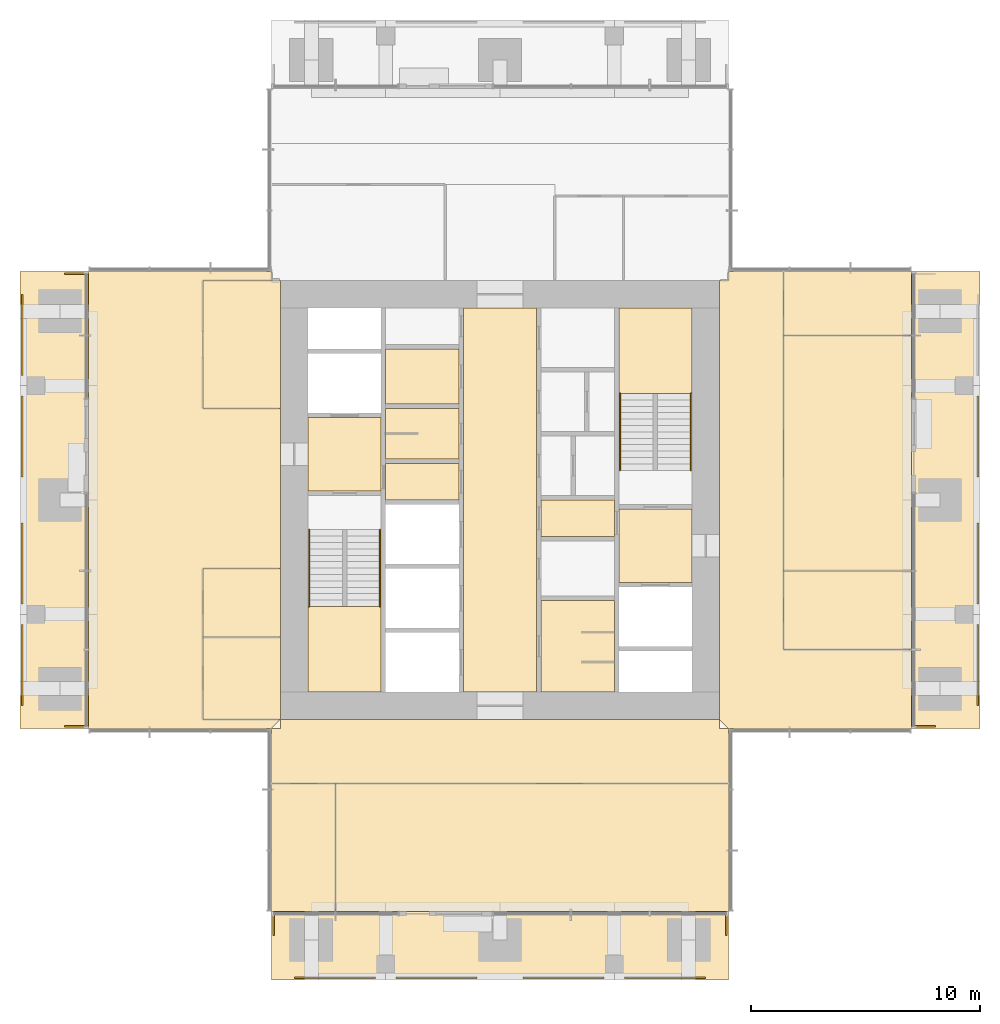
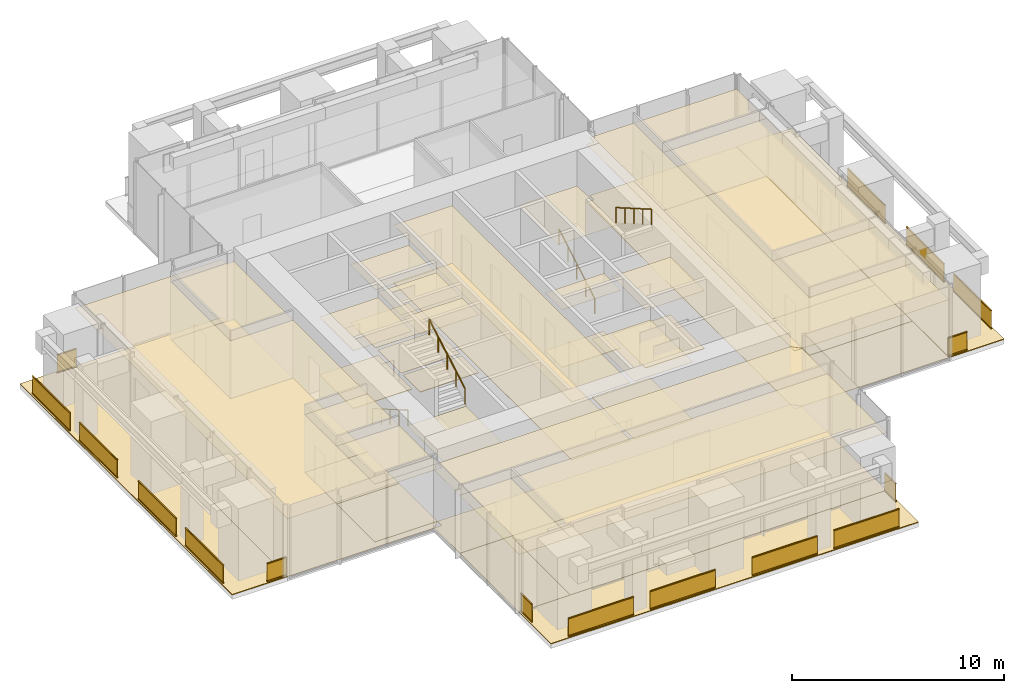
# One storey, part 10 of 12: 43 coverings, 20 railings.
"""IFC4 building model written with IfcOpenShell, lengths in metres."""

from ifc_helpers import new_model, si_unit, direction, frame, origin, origin_2d, place, context, subcontext, project, spatial, polyline, rectangle, circle, outline, extrude, material, layer, layer_set, type_object, element, save


model = new_model("IFC4")

# Units and contexts
model_context = context("Model", 3, precision=1e-05, world=origin(), true_north=direction((0.0, 1.0)))
body_context = subcontext(model_context, "Body", "Model", "MODEL_VIEW")
ifc_project = project(units=[si_unit("LENGTHUNIT", "METRE"), si_unit("AREAUNIT", "SQUARE_METRE"), si_unit("VOLUMEUNIT", "CUBIC_METRE"), si_unit("PLANEANGLEUNIT", "RADIAN"), si_unit("MASSUNIT", "GRAM", prefix="KILO")], contexts=[model_context])

# Site, building, storey
site_placement = place(None, origin())
site = spatial("IfcSite", under=ifc_project, at=site_placement, CompositionType="ELEMENT")
building_placement = place(site_placement, origin())
building = spatial("IfcBuilding", under=site, at=building_placement, Name="Svetlomir Tower", CompositionType="ELEMENT")
storey_placement = place(building_placement, frame((0.0, 0.0, 265.0)))
storey = spatial("IfcBuildingStorey", under=building, at=storey_placement, Name="L63", CompositionType="ELEMENT", Elevation=265.0)

# Railings
ifc_material_1 = material(Name="Bronze anodised aluminium and laminated glass", Category="aluminium")
railing_type_1 = type_object("IfcRailingType", Name="BALCONY GUARD GR1 1100", PredefinedType="GUARDRAIL", material=ifc_material_1)
for number, where, name in (
    (1, (12.0, 0.10009765625, 0.0), "Loggia guard S L63 bay 1"),
    (2, (16.449951171875, 0.10009765625, 0.0), "Loggia guard S L63 bay 2"),
    (3, (22.0, 0.10009765625, 0.0), "Loggia guard S L63 bay 3"),
    (4, (26.449951171875, 0.10009765625, 0.0), "Loggia guard S L63 bay 4"),
):
    element("IfcRailing", number, at=place(storey_placement, frame(where)), inside=storey, type_object=railing_type_1, Name=name, PredefinedType="GUARDRAIL", context=body_context, shape_type="SweptSolid", body=[
        extrude(rectangle(XDim=0.06005859375, YDim=0.10009765625, at=origin_2d()), frame((0.0, 0.0, 0.050048828125), z_axis=(1.0, 0.0, 0.0), x_axis=(0.0, 1.0, 0.0)), (0.0, 0.0, 1.0), 3.550048828125),
        extrude(rectangle(XDim=0.021484375, YDim=0.960205078125, at=origin_2d()), frame((0.0, 0.0, 0.580078125), z_axis=(1.0, 0.0, 0.0), x_axis=(0.0, 1.0, 0.0)), (0.0, 0.0, 1.0), 3.550048828125),
        extrude(rectangle(XDim=0.06005859375, YDim=0.0400390625, at=origin_2d()), frame((0.0, 0.0, 1.080078125), z_axis=(1.0, 0.0, 0.0), x_axis=(0.0, 1.0, 0.0)), (0.0, 0.0, 1.0), 3.550048828125),
    ])
for number, where, name in (
    (5, (11.10009765625, 1.949951171875, 0.0), "Loggia guard S L63 end 1"),
    (6, (30.89990234375, 1.949951171875, 0.0), "Loggia guard S L63 end 2"),
):
    element("IfcRailing", number, at=place(storey_placement, frame(where)), inside=storey, type_object=railing_type_1, Name=name, PredefinedType="GUARDRAIL", context=body_context, shape_type="SweptSolid", body=[
        extrude(rectangle(XDim=0.06005859375, YDim=0.10009765625, at=origin_2d()), frame((0.0, 0.0, 0.050048828125), z_axis=(0.0, 1.0, 0.0), x_axis=(-1.0, 0.0, 0.0)), (0.0, 0.0, 1.0), 1.050048828125),
        extrude(rectangle(XDim=0.021484375, YDim=0.960205078125, at=origin_2d()), frame((0.0, 0.0, 0.580078125), z_axis=(0.0, 1.0, 0.0), x_axis=(-1.0, 0.0, 0.0)), (0.0, 0.0, 1.0), 1.050048828125),
        extrude(rectangle(XDim=0.06005859375, YDim=0.0400390625, at=origin_2d()), frame((0.0, 0.0, 1.080078125), z_axis=(0.0, 1.0, 0.0), x_axis=(-1.0, 0.0, 0.0)), (0.0, 0.0, 1.0), 1.050048828125),
    ])
for number, where, name in (
    (7, (41.89990234375, 12.0, 0.0), "Loggia guard E L63 bay 1"),
    (8, (41.89990234375, 16.449951171875, 0.0), "Loggia guard E L63 bay 2"),
    (9, (41.89990234375, 22.0, 0.0), "Loggia guard E L63 bay 3"),
):
    element("IfcRailing", number, at=place(storey_placement, frame(where)), inside=storey, type_object=railing_type_1, Name=name, PredefinedType="GUARDRAIL", context=body_context, shape_type="SweptSolid", body=[
        extrude(rectangle(XDim=0.06005859375, YDim=0.10009765625, at=origin_2d()), frame((0.0, 0.0, 0.050048828125), z_axis=(0.0, 1.0, 0.0), x_axis=(-1.0, 0.0, 0.0)), (0.0, 0.0, 1.0), 3.550048828125),
        extrude(rectangle(XDim=0.021484375, YDim=0.960205078125, at=origin_2d()), frame((0.0, 0.0, 0.580078125), z_axis=(0.0, 1.0, 0.0), x_axis=(-1.0, 0.0, 0.0)), (0.0, 0.0, 1.0), 3.550048828125),
        extrude(rectangle(XDim=0.06005859375, YDim=0.0400390625, at=origin_2d()), frame((0.0, 0.0, 1.080078125), z_axis=(0.0, 1.0, 0.0), x_axis=(-1.0, 0.0, 0.0)), (0.0, 0.0, 1.0), 3.550048828125),
    ])
railing_1_placement = place(storey_placement, frame((40.050048828125, 11.10009765625, 0.0)))
element("IfcRailing", 10, at=railing_1_placement, inside=storey, type_object=railing_type_1, Name="Loggia guard E L63 end 1", PredefinedType="GUARDRAIL", context=body_context, shape_type="SweptSolid", body=[
    extrude(rectangle(XDim=0.06005859375, YDim=0.10009765625, at=origin_2d()), frame((0.0, 0.0, 0.050048828125), z_axis=(-1.0, 0.0, 0.0), x_axis=(0.0, -1.0, 0.0)), (0.0, 0.0, 1.0), 1.050048828125),
    extrude(rectangle(XDim=0.021484375, YDim=0.960205078125, at=origin_2d()), frame((0.0, 0.0, 0.580078125), z_axis=(-1.0, 0.0, 0.0), x_axis=(0.0, -1.0, 0.0)), (0.0, 0.0, 1.0), 1.050048828125),
    extrude(rectangle(XDim=0.06005859375, YDim=0.0400390625, at=origin_2d()), frame((0.0, 0.0, 1.080078125), z_axis=(-1.0, 0.0, 0.0), x_axis=(0.0, -1.0, 0.0)), (0.0, 0.0, 1.0), 1.050048828125),
])
for number, where, name in (
    (11, (0.10009765625, 12.0, 0.0), "Loggia guard W L63 bay 1"),
    (12, (0.10009765625, 16.449951171875, 0.0), "Loggia guard W L63 bay 2"),
    (13, (0.10009765625, 22.0, 0.0), "Loggia guard W L63 bay 3"),
    (14, (0.10009765625, 26.449951171875, 0.0), "Loggia guard W L63 bay 4"),
):
    element("IfcRailing", number, at=place(storey_placement, frame(where)), inside=storey, type_object=railing_type_1, Name=name, PredefinedType="GUARDRAIL", context=body_context, shape_type="SweptSolid", body=[
        extrude(rectangle(XDim=0.06005859375, YDim=0.10009765625, at=origin_2d()), frame((0.0, 0.0, 0.050048828125), z_axis=(0.0, 1.0, 0.0), x_axis=(-1.0, 0.0, 0.0)), (0.0, 0.0, 1.0), 3.550048828125),
        extrude(rectangle(XDim=0.021484375, YDim=0.960205078125, at=origin_2d()), frame((0.0, 0.0, 0.580078125), z_axis=(0.0, 1.0, 0.0), x_axis=(-1.0, 0.0, 0.0)), (0.0, 0.0, 1.0), 3.550048828125),
        extrude(rectangle(XDim=0.06005859375, YDim=0.0400390625, at=origin_2d()), frame((0.0, 0.0, 1.080078125), z_axis=(0.0, 1.0, 0.0), x_axis=(-1.0, 0.0, 0.0)), (0.0, 0.0, 1.0), 3.550048828125),
    ])
for number, where, name in (
    (15, (1.949951171875, 11.10009765625, 0.0), "Loggia guard W L63 end 1"),
    (16, (1.949951171875, 30.89990234375, 0.0), "Loggia guard W L63 end 2"),
):
    element("IfcRailing", number, at=place(storey_placement, frame(where)), inside=storey, type_object=railing_type_1, Name=name, PredefinedType="GUARDRAIL", context=body_context, shape_type="SweptSolid", body=[
        extrude(rectangle(XDim=0.06005859375, YDim=0.10009765625, at=origin_2d()), frame((0.0, 0.0, 0.050048828125), z_axis=(1.0, 0.0, 0.0), x_axis=(0.0, 1.0, 0.0)), (0.0, 0.0, 1.0), 1.050048828125),
        extrude(rectangle(XDim=0.021484375, YDim=0.960205078125, at=origin_2d()), frame((0.0, 0.0, 0.580078125), z_axis=(1.0, 0.0, 0.0), x_axis=(0.0, 1.0, 0.0)), (0.0, 0.0, 1.0), 1.050048828125),
        extrude(rectangle(XDim=0.06005859375, YDim=0.0400390625, at=origin_2d()), frame((0.0, 0.0, 1.080078125), z_axis=(1.0, 0.0, 0.0), x_axis=(0.0, 1.0, 0.0)), (0.0, 0.0, 1.0), 1.050048828125),
    ])

# Coverings
ifc_material_2 = material(Name="Granite paving slabs on pedestals", Category="masonry")
ifc_layer_1 = layer(ifc_material_2, 0.0400390625)
ifc_layer_set_1 = layer_set([ifc_layer_1], Name="Granite paving slabs on pedestals")
covering_type_1 = type_object("IfcCoveringType", Name="BALCONY PAVING 40", PredefinedType="USERDEFINED", material=ifc_layer_set_1)
covering_1_placement = place(storey_placement, origin())
element("IfcCovering", 17, at=covering_1_placement, inside=storey, type_object=covering_type_1, Name="Loggia paving S L63", ObjectType="BALCONY PAVING", PredefinedType="USERDEFINED", context=body_context, shape_type="SweptSolid", body=[
    extrude(outline(polyline([(11.0, 0.0), (31.0, 0.0), (31.0, 3.0), (11.0, 3.0), (11.0, 0.0)])), origin(), (0.0, 0.0, 1.0), 0.0400390625),
])
covering_2_placement = place(storey_placement, origin())
element("IfcCovering", 18, at=covering_2_placement, inside=storey, type_object=covering_type_1, Name="Loggia paving E L63", ObjectType="BALCONY PAVING", PredefinedType="USERDEFINED", context=body_context, shape_type="SweptSolid", body=[
    extrude(outline(polyline([(39.0, 11.0), (42.0, 11.0), (42.0, 31.0), (39.0, 31.0), (39.0, 11.0)])), origin(), (0.0, 0.0, 1.0), 0.0400390625),
])
covering_3_placement = place(storey_placement, origin())
element("IfcCovering", 19, at=covering_3_placement, inside=storey, type_object=covering_type_1, Name="Loggia paving W L63", ObjectType="BALCONY PAVING", PredefinedType="USERDEFINED", context=body_context, shape_type="SweptSolid", body=[
    extrude(outline(polyline([(0.0, 11.0), (3.0, 11.0), (3.0, 31.0), (0.0, 31.0), (0.0, 11.0)])), origin(), (0.0, 0.0, 1.0), 0.0400390625),
])
ifc_material_3 = material(Name="Ceramic floor tile", Category="ceramic")
ifc_layer_2 = layer(ifc_material_3, 0.014892578125)
ifc_layer_set_2 = layer_set([ifc_layer_2], Name="Ceramic floor tile")
covering_type_2 = type_object("IfcCoveringType", Name="CERAMIC TILE FLOOR 15", PredefinedType="FLOORING", material=ifc_layer_set_2)
covering_4_placement = place(storey_placement, origin())
element("IfcCovering", 20, at=covering_4_placement, inside=storey, type_object=covering_type_2, Name="Floor finish L63-04", PredefinedType="FLOORING", context=body_context, shape_type="SweptSolid", body=[
    extrude(outline(polyline([(16.0, 22.800048828125), (19.199951171875, 22.800048828125), (19.199951171875, 25.0), (16.0, 25.0), (16.0, 22.800048828125)])), origin(), (0.0, 0.0, 1.0), 0.014892578125),
])
covering_5_placement = place(storey_placement, origin())
element("IfcCovering", 21, at=covering_5_placement, inside=storey, type_object=covering_type_2, Name="Floor finish L63-05", PredefinedType="FLOORING", context=body_context, shape_type="SweptSolid", body=[
    extrude(outline(polyline([(16.0, 25.199951171875), (19.199951171875, 25.199951171875), (19.199951171875, 27.60009765625), (16.0, 27.60009765625), (16.0, 25.199951171875)])), origin(), (0.0, 0.0, 1.0), 0.014892578125),
])
covering_6_placement = place(storey_placement, origin())
element("IfcCovering", 22, at=covering_6_placement, inside=storey, type_object=covering_type_2, Name="Floor finish L63-08", PredefinedType="FLOORING", context=body_context, shape_type="SweptSolid", body=[
    extrude(outline(polyline([(22.800048828125, 12.60009765625), (26.0, 12.60009765625), (26.0, 16.60009765625), (22.800048828125, 16.60009765625), (22.800048828125, 12.60009765625)])), origin(), (0.0, 0.0, 1.0), 0.014892578125),
])

# Railings
ifc_material_4 = material(Name="Stainless steel", Category="steel")
railing_type_2 = type_object("IfcRailingType", Name="HANDRAIL HR1 900", PredefinedType="HANDRAIL", material=ifc_material_4)
railing_2_placement = place(storey_placement, frame((12.64990234375, 19.699951171875, 0.16162109375)))
element("IfcRailing", 23, at=railing_2_placement, inside=storey, type_object=railing_type_2, Name="Handrail S1 flight 1 L63", PredefinedType="HANDRAIL", context=body_context, shape_type="SweptSolid", body=[
    extrude(circle(Radius=0.02392578125, at=origin_2d()), frame((0.0, 0.0, 0.8759765625), z_axis=(0.0, -0.866175107563, 0.499740615757), x_axis=(1.0, 0.0, 0.0)), (0.0, 0.0, 1.0), 3.87890625),
    extrude(circle(Radius=0.02099609375, at=origin_2d()), origin(), (0.0, 0.0, 1.0), 0.851806640625),
    extrude(circle(Radius=0.02099609375, at=origin_2d()), frame((0.0, -0.83984375, 0.484619140625)), (0.0, 0.0, 1.0), 0.851806640625),
    extrude(circle(Radius=0.02099609375, at=origin_2d()), frame((0.0, -1.679931640625, 0.96923828125)), (0.0, 0.0, 1.0), 0.851806640625),
    extrude(circle(Radius=0.02099609375, at=origin_2d()), frame((0.0, -2.52001953125, 1.453857421875)), (0.0, 0.0, 1.0), 0.851806640625),
    extrude(circle(Radius=0.02099609375, at=origin_2d()), frame((0.0, -3.35986328125, 1.9384765625)), (0.0, 0.0, 1.0), 0.851806640625),
])
for number, where, name in (
    (24, (15.75, 16.340087890625, 2.261474609375), "Handrail S1 flight 2 L63"),
    (25, (26.25, 22.300048828125, 0.16162109375), "Handrail S2 flight 1 L63"),
):
    element("IfcRailing", number, at=place(storey_placement, frame(where)), inside=storey, type_object=railing_type_2, Name=name, PredefinedType="HANDRAIL", context=body_context, shape_type="SweptSolid", body=[
        extrude(circle(Radius=0.02392578125, at=origin_2d()), frame((0.0, 0.0, 0.8759765625), z_axis=(0.0, 0.866175107563, 0.499740615757), x_axis=(-1.0, 0.0, 0.0)), (0.0, 0.0, 1.0), 3.87890625),
        extrude(circle(Radius=0.02099609375, at=origin_2d()), origin(), (0.0, 0.0, 1.0), 0.851806640625),
        extrude(circle(Radius=0.02099609375, at=origin_2d()), frame((0.0, 0.83984375, 0.484619140625)), (0.0, 0.0, 1.0), 0.851806640625),
        extrude(circle(Radius=0.02099609375, at=origin_2d()), frame((0.0, 1.679931640625, 0.96923828125)), (0.0, 0.0, 1.0), 0.851806640625),
        extrude(circle(Radius=0.02099609375, at=origin_2d()), frame((0.0, 2.52001953125, 1.453857421875)), (0.0, 0.0, 1.0), 0.851806640625),
        extrude(circle(Radius=0.02099609375, at=origin_2d()), frame((0.0, 3.35986328125, 1.9384765625)), (0.0, 0.0, 1.0), 0.851806640625),
    ])
railing_3_placement = place(storey_placement, frame((29.35009765625, 25.659912109375, 2.261474609375)))
element("IfcRailing", 26, at=railing_3_placement, inside=storey, type_object=railing_type_2, Name="Handrail S2 flight 2 L63", PredefinedType="HANDRAIL", context=body_context, shape_type="SweptSolid", body=[
    extrude(circle(Radius=0.02392578125, at=origin_2d()), frame((0.0, 0.0, 0.8759765625), z_axis=(0.0, -0.866175107563, 0.499740615757), x_axis=(1.0, 0.0, 0.0)), (0.0, 0.0, 1.0), 3.87890625),
    extrude(circle(Radius=0.02099609375, at=origin_2d()), origin(), (0.0, 0.0, 1.0), 0.851806640625),
    extrude(circle(Radius=0.02099609375, at=origin_2d()), frame((0.0, -0.83984375, 0.484619140625)), (0.0, 0.0, 1.0), 0.851806640625),
    extrude(circle(Radius=0.02099609375, at=origin_2d()), frame((0.0, -1.679931640625, 0.96923828125)), (0.0, 0.0, 1.0), 0.851806640625),
    extrude(circle(Radius=0.02099609375, at=origin_2d()), frame((0.0, -2.52001953125, 1.453857421875)), (0.0, 0.0, 1.0), 0.851806640625),
    extrude(circle(Radius=0.02099609375, at=origin_2d()), frame((0.0, -3.35986328125, 1.9384765625)), (0.0, 0.0, 1.0), 0.851806640625),
])

# Coverings
ifc_material_5 = material(Name="Moisture resistant plasterboard ceiling", Category="gypsum")
ifc_layer_3 = layer(ifc_material_5, 0.012451171875)
ifc_layer_set_3 = layer_set([ifc_layer_3], Name="Moisture resistant plasterboard ceiling")
covering_type_3 = type_object("IfcCoveringType", Name="MOISTURE RESISTANT CEILING 12.5", PredefinedType="CEILING", material=ifc_layer_set_3)
covering_7_placement = place(storey_placement, frame((0.0, 0.0, 3.33740234375)))
element("IfcCovering", 27, at=covering_7_placement, inside=storey, type_object=covering_type_3, Name="Ceiling L63-04", PredefinedType="CEILING", context=body_context, shape_type="SweptSolid", body=[
    extrude(outline(polyline([(16.0, 22.800048828125), (19.199951171875, 22.800048828125), (19.199951171875, 25.0), (16.0, 25.0), (16.0, 22.800048828125)])), origin(), (0.0, 0.0, 1.0), 0.0126953125),
])
covering_8_placement = place(storey_placement, frame((0.0, 0.0, 3.33740234375)))
element("IfcCovering", 28, at=covering_8_placement, inside=storey, type_object=covering_type_3, Name="Ceiling L63-05", PredefinedType="CEILING", context=body_context, shape_type="SweptSolid", body=[
    extrude(outline(polyline([(16.0, 25.199951171875), (19.199951171875, 25.199951171875), (19.199951171875, 27.60009765625), (16.0, 27.60009765625), (16.0, 25.199951171875)])), origin(), (0.0, 0.0, 1.0), 0.0126953125),
])
covering_9_placement = place(storey_placement, frame((0.0, 0.0, 3.33740234375)))
element("IfcCovering", 29, at=covering_9_placement, inside=storey, type_object=covering_type_3, Name="Ceiling L63-08", PredefinedType="CEILING", context=body_context, shape_type="SweptSolid", body=[
    extrude(outline(polyline([(22.800048828125, 12.60009765625), (26.0, 12.60009765625), (26.0, 16.60009765625), (22.800048828125, 16.60009765625), (22.800048828125, 12.60009765625)])), origin(), (0.0, 0.0, 1.0), 0.0126953125),
])
ifc_material_6 = material(Name="Engineered oak floor", Category="wood")
ifc_layer_4 = layer(ifc_material_6, 0.02001953125)
ifc_layer_set_4 = layer_set([ifc_layer_4], Name="Engineered oak floor")
covering_type_4 = type_object("IfcCoveringType", Name="OAK FLOOR 20", PredefinedType="FLOORING", material=ifc_layer_set_4)
covering_10_placement = place(storey_placement, origin())
element("IfcCovering", 30, at=covering_10_placement, inside=storey, type_object=covering_type_4, Name="Floor finish L63-18", PredefinedType="FLOORING", context=body_context, shape_type="SweptSolid", body=[
    extrude(outline(polyline([(11.0, 3.0), (13.800048828125, 3.0), (13.800048828125, 8.60009765625), (11.0, 8.60009765625), (11.0, 3.0)])), origin(), (0.0, 0.0, 1.0), 0.02001953125),
])
covering_11_placement = place(storey_placement, origin())
element("IfcCovering", 31, at=covering_11_placement, inside=storey, type_object=covering_type_4, Name="Floor finish L63-19", PredefinedType="FLOORING", context=body_context, shape_type="SweptSolid", body=[
    extrude(outline(polyline([(13.800048828125, 3.0), (31.0, 3.0), (31.0, 8.60009765625), (13.800048828125, 8.60009765625), (13.800048828125, 3.0)])), origin(), (0.0, 0.0, 1.0), 0.02001953125),
])
covering_12_placement = place(storey_placement, origin())
element("IfcCovering", 32, at=covering_12_placement, inside=storey, type_object=covering_type_4, Name="Floor finish L63-20", PredefinedType="FLOORING", context=body_context, shape_type="SweptSolid", body=[
    extrude(outline(polyline([(33.39990234375, 14.449951171875), (39.0, 14.449951171875), (39.0, 17.89990234375), (33.39990234375, 17.89990234375), (33.39990234375, 14.449951171875)])), origin(), (0.0, 0.0, 1.0), 0.02001953125),
])
covering_13_placement = place(storey_placement, origin())
element("IfcCovering", 33, at=covering_13_placement, inside=storey, type_object=covering_type_4, Name="Floor finish L63-21", PredefinedType="FLOORING", context=body_context, shape_type="SweptSolid", body=[
    extrude(outline(polyline([(33.39990234375, 17.89990234375), (39.0, 17.89990234375), (39.0, 28.199951171875), (33.39990234375, 28.199951171875), (33.39990234375, 17.89990234375)])), origin(), (0.0, 0.0, 1.0), 0.02001953125),
])
covering_14_placement = place(storey_placement, origin())
element("IfcCovering", 34, at=covering_14_placement, inside=storey, type_object=covering_type_4, Name="Floor finish L63-22", PredefinedType="FLOORING", context=body_context, shape_type="SweptSolid", body=[
    extrude(outline(polyline([(33.39990234375, 28.199951171875), (39.0, 28.199951171875), (39.0, 31.0), (33.39990234375, 31.0), (33.39990234375, 28.199951171875)])), origin(), (0.0, 0.0, 1.0), 0.02001953125),
])
covering_15_placement = place(storey_placement, origin())
element("IfcCovering", 35, at=covering_15_placement, inside=storey, type_object=covering_type_4, Name="Floor finish L63-26", PredefinedType="FLOORING", context=body_context, shape_type="SweptSolid", body=[
    extrude(outline(polyline([(8.0, 11.39990234375), (11.39990234375, 11.39990234375), (11.39990234375, 15.0), (8.0, 15.0), (8.0, 11.39990234375)])), origin(), (0.0, 0.0, 1.0), 0.02001953125),
])
covering_16_placement = place(storey_placement, origin())
element("IfcCovering", 36, at=covering_16_placement, inside=storey, type_object=covering_type_4, Name="Floor finish L63-27", PredefinedType="FLOORING", context=body_context, shape_type="SweptSolid", body=[
    extrude(outline(polyline([(8.0, 15.0), (11.39990234375, 15.0), (11.39990234375, 18.0), (8.0, 18.0), (8.0, 15.0)])), origin(), (0.0, 0.0, 1.0), 0.02001953125),
])
covering_17_placement = place(storey_placement, origin())
element("IfcCovering", 37, at=covering_17_placement, inside=storey, type_object=covering_type_4, Name="Floor finish L63-28", PredefinedType="FLOORING", context=body_context, shape_type="SweptSolid", body=[
    extrude(outline(polyline([(8.0, 25.0), (11.39990234375, 25.0), (11.39990234375, 30.60009765625), (8.0, 30.60009765625), (8.0, 25.0)])), origin(), (0.0, 0.0, 1.0), 0.02001953125),
])
covering_18_placement = place(storey_placement, origin())
element("IfcCovering", 38, at=covering_18_placement, inside=storey, type_object=covering_type_4, Name="Floor finish L63-29", PredefinedType="FLOORING", context=body_context, shape_type="SweptSolid", body=[
    extrude(outline(polyline([(11.0, 11.0), (11.39990234375, 11.0), (11.39990234375, 11.39990234375), (30.60009765625, 11.39990234375), (30.60009765625, 11.0), (31.0, 11.0), (31.0, 8.60009765625), (11.0, 8.60009765625), (11.0, 11.0)])), origin(), (0.0, 0.0, 1.0), 0.02001953125),
])
covering_19_placement = place(storey_placement, origin())
element("IfcCovering", 39, at=covering_19_placement, inside=storey, type_object=covering_type_4, Name="Floor finish L63-31", PredefinedType="FLOORING", context=body_context, shape_type="SweptSolid", body=[
    extrude(outline(polyline([(30.60009765625, 30.60009765625), (31.0, 30.60009765625), (31.0, 31.0), (33.39990234375, 31.0), (33.39990234375, 14.449951171875), (39.0, 14.449951171875), (39.0, 11.0), (31.0, 11.0), (30.60009765625, 11.39990234375), (30.60009765625, 30.60009765625)])), origin(), (0.0, 0.0, 1.0), 0.02001953125),
])
covering_20_placement = place(storey_placement, origin())
element("IfcCovering", 40, at=covering_20_placement, inside=storey, type_object=covering_type_4, Name="Floor finish L63-34", PredefinedType="FLOORING", context=body_context, shape_type="SweptSolid", body=[
    extrude(outline(polyline([(3.0, 31.0), (11.0, 31.0), (11.0, 30.60009765625), (8.0, 30.60009765625), (8.0, 25.0), (11.39990234375, 25.0), (11.39990234375, 18.0), (8.0, 18.0), (8.0, 11.39990234375), (11.39990234375, 11.39990234375), (11.0, 11.0), (3.0, 11.0), (3.0, 31.0)])), origin(), (0.0, 0.0, 1.0), 0.02001953125),
])
ifc_material_7 = material(Name="Gypsum plasterboard ceiling", Category="gypsum")
ifc_layer_5 = layer(ifc_material_7, 0.014892578125)
ifc_layer_set_5 = layer_set([ifc_layer_5], Name="Gypsum plasterboard ceiling")
covering_type_5 = type_object("IfcCoveringType", Name="PLASTERBOARD CEILING 15", PredefinedType="CEILING", material=ifc_layer_set_5)
covering_21_placement = place(storey_placement, frame((0.0, 0.0, 3.3349609375)))
element("IfcCovering", 41, at=covering_21_placement, inside=storey, type_object=covering_type_5, Name="Ceiling L63-02", PredefinedType="CEILING", context=body_context, shape_type="SweptSolid", body=[
    extrude(outline(polyline([(12.60009765625, 21.39990234375), (15.800048828125, 21.39990234375), (15.800048828125, 24.60009765625), (12.60009765625, 24.60009765625), (12.60009765625, 21.39990234375)])), origin(), (0.0, 0.0, 1.0), 0.01513671875),
])
covering_22_placement = place(storey_placement, frame((0.0, 0.0, 3.3349609375)))
element("IfcCovering", 42, at=covering_22_placement, inside=storey, type_object=covering_type_5, Name="Ceiling L63-03", PredefinedType="CEILING", context=body_context, shape_type="SweptSolid", body=[
    extrude(outline(polyline([(16.0, 21.0), (19.199951171875, 21.0), (19.199951171875, 22.60009765625), (16.0, 22.60009765625), (16.0, 21.0)])), origin(), (0.0, 0.0, 1.0), 0.01513671875),
])
covering_23_placement = place(storey_placement, frame((0.0, 0.0, 3.3349609375)))
element("IfcCovering", 43, at=covering_23_placement, inside=storey, type_object=covering_type_5, Name="Ceiling L63-07", PredefinedType="CEILING", context=body_context, shape_type="SweptSolid", body=[
    extrude(outline(polyline([(19.39990234375, 12.60009765625), (22.60009765625, 12.60009765625), (22.60009765625, 29.39990234375), (19.39990234375, 29.39990234375), (19.39990234375, 12.60009765625)])), origin(), (0.0, 0.0, 1.0), 0.01513671875),
])
covering_24_placement = place(storey_placement, frame((0.0, 0.0, 3.3349609375)))
element("IfcCovering", 44, at=covering_24_placement, inside=storey, type_object=covering_type_5, Name="Ceiling L63-10", PredefinedType="CEILING", context=body_context, shape_type="SweptSolid", body=[
    extrude(outline(polyline([(22.800048828125, 19.39990234375), (26.0, 19.39990234375), (26.0, 21.0), (22.800048828125, 21.0), (22.800048828125, 19.39990234375)])), origin(), (0.0, 0.0, 1.0), 0.01513671875),
])
covering_25_placement = place(storey_placement, frame((0.0, 0.0, 3.3349609375)))
element("IfcCovering", 45, at=covering_25_placement, inside=storey, type_object=covering_type_5, Name="Ceiling L63-11", PredefinedType="CEILING", context=body_context, shape_type="SweptSolid", body=[
    extrude(outline(polyline([(26.199951171875, 17.39990234375), (29.39990234375, 17.39990234375), (29.39990234375, 20.60009765625), (26.199951171875, 20.60009765625), (26.199951171875, 17.39990234375)])), origin(), (0.0, 0.0, 1.0), 0.01513671875),
])
ifc_material_8 = material(Name="Studded rubber floor finish", Category="rubber")
ifc_layer_6 = layer(ifc_material_8, 0.006103515625)
ifc_layer_set_6 = layer_set([ifc_layer_6], Name="Studded rubber floor finish")
covering_type_6 = type_object("IfcCoveringType", Name="RUBBER LANDING FINISH 6", PredefinedType="FLOORING", material=ifc_layer_set_6)
covering_26_placement = place(storey_placement, frame((0.0, 0.0, 2.10009765625)))
element("IfcCovering", 46, at=covering_26_placement, inside=storey, type_object=covering_type_6, Name="Stair S1 landing finish L63", PredefinedType="FLOORING", context=body_context, shape_type="SweptSolid", body=[
    extrude(outline(polyline([(12.60009765625, 12.60009765625), (15.800048828125, 12.60009765625), (15.800048828125, 16.340087890625), (12.60009765625, 16.340087890625), (12.60009765625, 12.60009765625)])), origin(), (0.0, 0.0, 1.0), 0.005859375),
])
covering_27_placement = place(storey_placement, frame((0.0, 0.0, 2.10009765625)))
element("IfcCovering", 47, at=covering_27_placement, inside=storey, type_object=covering_type_6, Name="Stair S2 landing finish L63", PredefinedType="FLOORING", context=body_context, shape_type="SweptSolid", body=[
    extrude(outline(polyline([(26.199951171875, 25.659912109375), (29.39990234375, 25.659912109375), (29.39990234375, 29.39990234375), (26.199951171875, 29.39990234375), (26.199951171875, 25.659912109375)])), origin(), (0.0, 0.0, 1.0), 0.005859375),
])
ifc_material_9 = material(Name="Mineral fibre ceiling tile", Category="mineral")
ifc_layer_7 = layer(ifc_material_9, 0.02001953125)
ifc_layer_set_7 = layer_set([ifc_layer_7], Name="Mineral fibre ceiling tile")
covering_type_7 = type_object("IfcCoveringType", Name="SUSPENDED CEILING 20", PredefinedType="CEILING", material=ifc_layer_set_7)
covering_28_placement = place(storey_placement, frame((0.0, 0.0, 3.330078125)))
element("IfcCovering", 48, at=covering_28_placement, inside=storey, type_object=covering_type_7, Name="Ceiling L63-18", PredefinedType="CEILING", context=body_context, shape_type="SweptSolid", body=[
    extrude(outline(polyline([(11.0, 3.0), (13.800048828125, 3.0), (13.800048828125, 8.60009765625), (11.0, 8.60009765625), (11.0, 3.0)])), origin(), (0.0, 0.0, 1.0), 0.02001953125),
])
covering_29_placement = place(storey_placement, frame((0.0, 0.0, 3.330078125)))
element("IfcCovering", 49, at=covering_29_placement, inside=storey, type_object=covering_type_7, Name="Ceiling L63-19", PredefinedType="CEILING", context=body_context, shape_type="SweptSolid", body=[
    extrude(outline(polyline([(13.800048828125, 3.0), (31.0, 3.0), (31.0, 8.60009765625), (13.800048828125, 8.60009765625), (13.800048828125, 3.0)])), origin(), (0.0, 0.0, 1.0), 0.02001953125),
])
covering_30_placement = place(storey_placement, frame((0.0, 0.0, 3.330078125)))
element("IfcCovering", 50, at=covering_30_placement, inside=storey, type_object=covering_type_7, Name="Ceiling L63-20", PredefinedType="CEILING", context=body_context, shape_type="SweptSolid", body=[
    extrude(outline(polyline([(33.39990234375, 14.449951171875), (39.0, 14.449951171875), (39.0, 17.89990234375), (33.39990234375, 17.89990234375), (33.39990234375, 14.449951171875)])), origin(), (0.0, 0.0, 1.0), 0.02001953125),
])
covering_31_placement = place(storey_placement, frame((0.0, 0.0, 3.330078125)))
element("IfcCovering", 51, at=covering_31_placement, inside=storey, type_object=covering_type_7, Name="Ceiling L63-21", PredefinedType="CEILING", context=body_context, shape_type="SweptSolid", body=[
    extrude(outline(polyline([(33.39990234375, 17.89990234375), (39.0, 17.89990234375), (39.0, 28.199951171875), (33.39990234375, 28.199951171875), (33.39990234375, 17.89990234375)])), origin(), (0.0, 0.0, 1.0), 0.02001953125),
])
covering_32_placement = place(storey_placement, frame((0.0, 0.0, 3.330078125)))
element("IfcCovering", 52, at=covering_32_placement, inside=storey, type_object=covering_type_7, Name="Ceiling L63-22", PredefinedType="CEILING", context=body_context, shape_type="SweptSolid", body=[
    extrude(outline(polyline([(33.39990234375, 28.199951171875), (39.0, 28.199951171875), (39.0, 31.0), (33.39990234375, 31.0), (33.39990234375, 28.199951171875)])), origin(), (0.0, 0.0, 1.0), 0.02001953125),
])
covering_33_placement = place(storey_placement, frame((0.0, 0.0, 3.330078125)))
element("IfcCovering", 53, at=covering_33_placement, inside=storey, type_object=covering_type_7, Name="Ceiling L63-26", PredefinedType="CEILING", context=body_context, shape_type="SweptSolid", body=[
    extrude(outline(polyline([(8.0, 11.39990234375), (11.39990234375, 11.39990234375), (11.39990234375, 15.0), (8.0, 15.0), (8.0, 11.39990234375)])), origin(), (0.0, 0.0, 1.0), 0.02001953125),
])
covering_34_placement = place(storey_placement, frame((0.0, 0.0, 3.330078125)))
element("IfcCovering", 54, at=covering_34_placement, inside=storey, type_object=covering_type_7, Name="Ceiling L63-27", PredefinedType="CEILING", context=body_context, shape_type="SweptSolid", body=[
    extrude(outline(polyline([(8.0, 15.0), (11.39990234375, 15.0), (11.39990234375, 18.0), (8.0, 18.0), (8.0, 15.0)])), origin(), (0.0, 0.0, 1.0), 0.02001953125),
])
covering_35_placement = place(storey_placement, frame((0.0, 0.0, 3.330078125)))
element("IfcCovering", 55, at=covering_35_placement, inside=storey, type_object=covering_type_7, Name="Ceiling L63-28", PredefinedType="CEILING", context=body_context, shape_type="SweptSolid", body=[
    extrude(outline(polyline([(8.0, 25.0), (11.39990234375, 25.0), (11.39990234375, 30.60009765625), (8.0, 30.60009765625), (8.0, 25.0)])), origin(), (0.0, 0.0, 1.0), 0.02001953125),
])
covering_36_placement = place(storey_placement, frame((0.0, 0.0, 3.330078125)))
element("IfcCovering", 56, at=covering_36_placement, inside=storey, type_object=covering_type_7, Name="Ceiling L63-29", PredefinedType="CEILING", context=body_context, shape_type="SweptSolid", body=[
    extrude(outline(polyline([(11.0, 11.0), (11.39990234375, 11.0), (11.39990234375, 11.39990234375), (30.60009765625, 11.39990234375), (30.60009765625, 11.0), (31.0, 11.0), (31.0, 8.60009765625), (11.0, 8.60009765625), (11.0, 11.0)])), origin(), (0.0, 0.0, 1.0), 0.02001953125),
])
covering_37_placement = place(storey_placement, frame((0.0, 0.0, 3.330078125)))
element("IfcCovering", 57, at=covering_37_placement, inside=storey, type_object=covering_type_7, Name="Ceiling L63-31", PredefinedType="CEILING", context=body_context, shape_type="SweptSolid", body=[
    extrude(outline(polyline([(30.60009765625, 30.60009765625), (31.0, 30.60009765625), (31.0, 31.0), (33.39990234375, 31.0), (33.39990234375, 14.449951171875), (39.0, 14.449951171875), (39.0, 11.0), (31.0, 11.0), (30.60009765625, 11.39990234375), (30.60009765625, 30.60009765625)])), origin(), (0.0, 0.0, 1.0), 0.02001953125),
])
covering_38_placement = place(storey_placement, frame((0.0, 0.0, 3.330078125)))
element("IfcCovering", 58, at=covering_38_placement, inside=storey, type_object=covering_type_7, Name="Ceiling L63-34", PredefinedType="CEILING", context=body_context, shape_type="SweptSolid", body=[
    extrude(outline(polyline([(3.0, 31.0), (11.0, 31.0), (11.0, 30.60009765625), (8.0, 30.60009765625), (8.0, 25.0), (11.39990234375, 25.0), (11.39990234375, 18.0), (8.0, 18.0), (8.0, 11.39990234375), (11.39990234375, 11.39990234375), (11.0, 11.0), (3.0, 11.0), (3.0, 31.0)])), origin(), (0.0, 0.0, 1.0), 0.02001953125),
])
ifc_material_10 = material(Name="Bronze-aggregate terrazzo", Category="stone")
ifc_layer_8 = layer(ifc_material_10, 0.030029296875)
ifc_layer_set_8 = layer_set([ifc_layer_8], Name="Bronze-aggregate terrazzo")
covering_type_8 = type_object("IfcCoveringType", Name="TERRAZZO FLOOR 30", PredefinedType="FLOORING", material=ifc_layer_set_8)
covering_39_placement = place(storey_placement, origin())
element("IfcCovering", 59, at=covering_39_placement, inside=storey, type_object=covering_type_8, Name="Floor finish L63-02", PredefinedType="FLOORING", context=body_context, shape_type="SweptSolid", body=[
    extrude(outline(polyline([(12.60009765625, 21.39990234375), (15.800048828125, 21.39990234375), (15.800048828125, 24.60009765625), (12.60009765625, 24.60009765625), (12.60009765625, 21.39990234375)])), origin(), (0.0, 0.0, 1.0), 0.030029296875),
])
covering_40_placement = place(storey_placement, origin())
element("IfcCovering", 60, at=covering_40_placement, inside=storey, type_object=covering_type_8, Name="Floor finish L63-03", PredefinedType="FLOORING", context=body_context, shape_type="SweptSolid", body=[
    extrude(outline(polyline([(16.0, 21.0), (19.199951171875, 21.0), (19.199951171875, 22.60009765625), (16.0, 22.60009765625), (16.0, 21.0)])), origin(), (0.0, 0.0, 1.0), 0.030029296875),
])
covering_41_placement = place(storey_placement, origin())
element("IfcCovering", 61, at=covering_41_placement, inside=storey, type_object=covering_type_8, Name="Floor finish L63-07", PredefinedType="FLOORING", context=body_context, shape_type="SweptSolid", body=[
    extrude(outline(polyline([(19.39990234375, 12.60009765625), (22.60009765625, 12.60009765625), (22.60009765625, 29.39990234375), (19.39990234375, 29.39990234375), (19.39990234375, 12.60009765625)])), origin(), (0.0, 0.0, 1.0), 0.030029296875),
])
covering_42_placement = place(storey_placement, origin())
element("IfcCovering", 62, at=covering_42_placement, inside=storey, type_object=covering_type_8, Name="Floor finish L63-10", PredefinedType="FLOORING", context=body_context, shape_type="SweptSolid", body=[
    extrude(outline(polyline([(22.800048828125, 19.39990234375), (26.0, 19.39990234375), (26.0, 21.0), (22.800048828125, 21.0), (22.800048828125, 19.39990234375)])), origin(), (0.0, 0.0, 1.0), 0.030029296875),
])
covering_43_placement = place(storey_placement, origin())
element("IfcCovering", 63, at=covering_43_placement, inside=storey, type_object=covering_type_8, Name="Floor finish L63-11", PredefinedType="FLOORING", context=body_context, shape_type="SweptSolid", body=[
    extrude(outline(polyline([(26.199951171875, 17.39990234375), (29.39990234375, 17.39990234375), (29.39990234375, 20.60009765625), (26.199951171875, 20.60009765625), (26.199951171875, 17.39990234375)])), origin(), (0.0, 0.0, 1.0), 0.030029296875),
])

save(model, "model.ifc")
